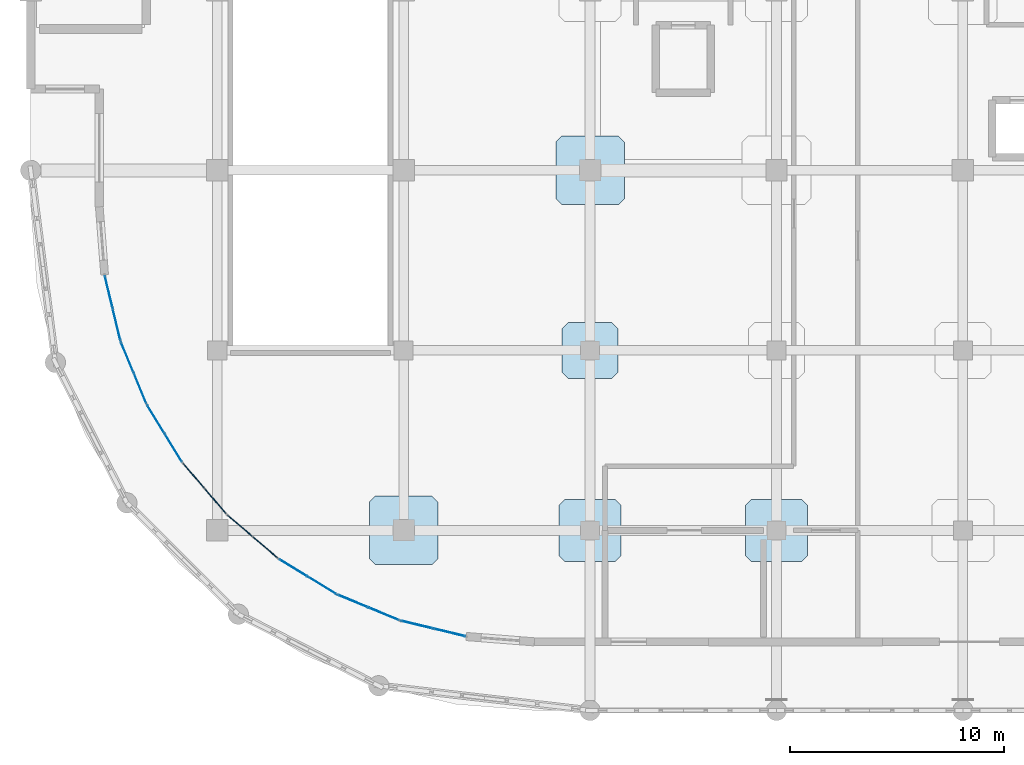
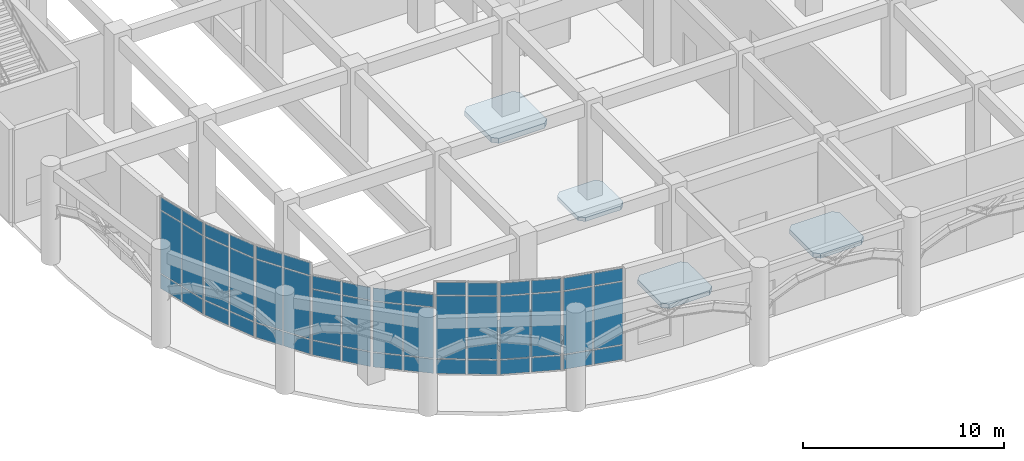
# One storey, part 50 of 82: 48 plates, 5 slabs, 8 elements without a shape of their own.
"""IFC4 building model written with IfcOpenShell, lengths in metres."""

import ifcopenshell
import ifcopenshell.guid

model = None  # the IFC model being written
_history = None  # IfcOwnerHistory: only IFC2X3 demands one
_inside = {}  # id of a spatial element -> (the spatial element, [elements in it])
_under = {}  # id of a project, library or spatial element -> (it, [spatial elements below it])
_declared = {}  # id of a project -> (the project, [libraries it declares])
_typed = {}  # id of a type object -> (the type object, [elements of that type])
_made_of = {}  # id of a material, layer set ... -> (it, [elements and type objects made of it])


def new_model(schema):
    """Start an empty IFC model of exactly this schema.

    Asked for "IFC4X3", IfcOpenShell would pick the latest addendum, in which some entities
    have other attributes; the version numbers below select the first issue.
    IFC2X3 requires an IfcOwnerHistory on every rooted entity: one is made here for all.
    """
    global model, _history
    if schema == "IFC4X3":
        model = ifcopenshell.file(schema_version=(4, 3, 0, 0))
    else:
        model = ifcopenshell.file(schema=schema)
    _inside.clear()
    _under.clear()
    _declared.clear()
    _typed.clear()
    _made_of.clear()
    _history = None
    if model.schema == "IFC2X3":
        org = make("IfcOrganization", Name="unknown")
        user = make(
            "IfcPersonAndOrganization",
            ThePerson=make("IfcPerson", FamilyName="unknown"),
            TheOrganization=org,
        )
        app = make(
            "IfcApplication",
            ApplicationDeveloper=org,
            Version="unknown",
            ApplicationFullName="unknown",
            ApplicationIdentifier="unknown",
        )
        _history = make(
            "IfcOwnerHistory",
            OwningUser=user,
            OwningApplication=app,
            ChangeAction="ADDED",
            CreationDate=0,
        )
    return model


def make(cls, **values):
    """One entity of the class cls with the attributes given. An attribute that is None is left unset."""
    return model.create_entity(
        cls, **{name: value for name, value in values.items() if value is not None}
    )


def rooted(cls, **values):
    """An entity with a GlobalId (a new one), such as an element, a storey or a relation."""
    return make(cls, GlobalId=ifcopenshell.guid.new(), OwnerHistory=_history, **values)


def si_unit(unit_type, name, prefix=None):
    """IfcSIUnit, for example si_unit("LENGTHUNIT", "METRE", prefix="MILLI")."""
    return make("IfcSIUnit", UnitType=unit_type, Prefix=prefix, Name=name)


def derived_unit(unit_type, elements):
    """IfcDerivedUnit: a product of units, each with its exponent."""
    return make(
        "IfcDerivedUnit",
        Elements=[
            make("IfcDerivedUnitElement", Unit=unit, Exponent=power)
            for unit, power in elements
        ],
        UnitType=unit_type,
    )


def assignment(units):
    """IfcUnitAssignment: the units of a project."""
    return None if units is None else make("IfcUnitAssignment", Units=units)


def point(xyz):
    """IfcCartesianPoint."""
    return None if xyz is None else make("IfcCartesianPoint", Coordinates=xyz)


def direction(xyz):
    """IfcDirection."""
    return None if xyz is None else make("IfcDirection", DirectionRatios=xyz)


def frame(location, z_axis=None, x_axis=None):
    """IfcAxis2Placement3D, a coordinate frame: its origin and axes. An axis left out is left unset."""
    return make(
        "IfcAxis2Placement3D",
        Location=point(location),
        Axis=direction(z_axis),
        RefDirection=direction(x_axis),
    )


def frame_2d(location, x_axis=None):
    """IfcAxis2Placement2D, a coordinate frame in the plane: its origin and x axis."""
    return make(
        "IfcAxis2Placement2D", Location=point(location), RefDirection=direction(x_axis)
    )


def origin():
    """The frame at (0, 0, 0) with its axes left unset."""
    return frame((0.0, 0.0, 0.0))


def origin_2d():
    """The frame at (0, 0) in the plane with its x axis left unset."""
    return frame_2d((0.0, 0.0))


def place(relative_to, where):
    """IfcLocalPlacement: puts the frame where relative to a parent placement (None: the world)."""
    return make(
        "IfcLocalPlacement", PlacementRelTo=relative_to, RelativePlacement=where
    )


def context(
    kind, dimensions, precision=None, world=None, true_north=None, identifier=None
):
    """IfcGeometricRepresentationContext, for example the 3D "Model" context."""
    return make(
        "IfcGeometricRepresentationContext",
        ContextIdentifier=identifier,
        ContextType=kind,
        CoordinateSpaceDimension=dimensions,
        Precision=precision,
        WorldCoordinateSystem=world,
        TrueNorth=true_north,
    )


def subcontext(parent, identifier, kind, view, scale=None):
    """IfcGeometricRepresentationSubContext, for example "Body" below "Model"."""
    return make(
        "IfcGeometricRepresentationSubContext",
        ContextIdentifier=identifier,
        ContextType=kind,
        ParentContext=parent,
        TargetScale=scale,
        TargetView=view,
    )


def project(units=None, contexts=None):
    """IfcProject with its units and contexts."""
    return rooted(
        "IfcProject",
        Name="project",
        RepresentationContexts=contexts,
        UnitsInContext=assignment(units),
    )


def spatial(cls, under=None, at=None, **own):
    """A site, building, storey or space (cls), placed at a placement, below another one or the project."""
    s = rooted(cls, ObjectPlacement=at, **own)
    if under is not None:
        _under.setdefault(under.id(), (under, []))[1].append(s)
    return s


def polyline(points):
    """IfcPolyline through the points."""
    return make("IfcPolyline", Points=[point(p) for p in points])


def profile(cls, at=None, kind="AREA", **sizes):
    """A parametric profile (cls). Its sizes go by their IFC names, for example OverallWidth=200.0."""
    return make(cls, ProfileType=kind, Position=at, **sizes)


def rectangle(**sizes):
    """IfcRectangleProfileDef."""
    return profile("IfcRectangleProfileDef", **sizes)


def outline(outer, holes=None, kind="AREA"):
    """IfcArbitraryClosedProfileDef: a profile drawn as a closed curve; with holes, ...WithVoids."""
    if holes is None:
        return make("IfcArbitraryClosedProfileDef", ProfileType=kind, OuterCurve=outer)
    return make(
        "IfcArbitraryProfileDefWithVoids",
        ProfileType=kind,
        OuterCurve=outer,
        InnerCurves=holes,
    )


def extrude(swept, where, along, depth):
    """IfcExtrudedAreaSolid: the profile swept, set in the frame where, extruded along a direction by depth."""
    return make(
        "IfcExtrudedAreaSolid",
        SweptArea=swept,
        Position=where,
        ExtrudedDirection=direction(along),
        Depth=depth,
    )


def shape(context_of_items, identifier, shape_type, items):
    """IfcShapeRepresentation: the items that make up one representation, for example the "Body"."""
    return make(
        "IfcShapeRepresentation",
        ContextOfItems=context_of_items,
        RepresentationIdentifier=identifier,
        RepresentationType=shape_type,
        Items=items,
    )


def material(Name=None, Category=None):
    """IfcMaterial."""
    return make("IfcMaterial", Name=Name, Category=Category)


def layer(
    of_material, thickness, ventilated=None, Name=None, Category=None, Priority=None
):
    """IfcMaterialLayer: one layer of a wall or slab, of a material (None: an air gap)."""
    return make(
        "IfcMaterialLayer",
        Material=of_material,
        LayerThickness=thickness,
        IsVentilated=ventilated,
        Name=Name,
        Category=Category,
        Priority=Priority,
    )


def layer_set(layers, Name=None):
    """IfcMaterialLayerSet."""
    return make("IfcMaterialLayerSet", MaterialLayers=layers, LayerSetName=Name)


def made_of(thing, what):
    """Note that an element or type object is made of a material, layer set ...; save() writes the relation."""
    if what is not None:
        _made_of.setdefault(what.id(), (what, []))[1].append(thing)
    return thing


def type_object(cls, material=None, **own):
    """A type object (cls), such as IfcWallType, which elements share."""
    return made_of(rooted(cls, **own), material)


def element(
    cls,
    number,
    at=None,
    inside=None,
    cuts=None,
    type_object=None,
    material=None,
    context=None,
    identifier="Body",
    shape_type=None,
    held_by="IfcProductDefinitionShape",
    body=None,
    shapes=None,
    **own,
):
    """One element of the class cls, such as IfcWall. Its Tag is "e" and its number.

    at: its placement. inside: the storey or other place that contains it. cuts: it is an
    opening in that element (IfcRelVoidsElement). A single representation is given by context,
    identifier, shape_type and body (its items); several are given by shapes. held_by: the class
    of the entity that holds the representations. save() writes the other relations.
    """
    e = rooted(cls, Tag="e%d" % number, ObjectPlacement=at, **own)
    if body is not None:
        shapes = [shape(context, identifier, shape_type, body)]
    if shapes is not None:
        e.Representation = make(held_by, Representations=shapes)
    if inside is not None:
        _inside.setdefault(inside.id(), (inside, []))[1].append(e)
    if cuts is not None:
        rooted(
            "IfcRelVoidsElement", RelatingBuildingElement=cuts, RelatedOpeningElement=e
        )
    if type_object is not None:
        _typed.setdefault(type_object.id(), (type_object, []))[1].append(e)
    return made_of(e, material)


def aggregate(whole, parts):
    """IfcRelAggregates: a whole, such as a stair, and the parts it consists of."""
    return rooted("IfcRelAggregates", RelatingObject=whole, RelatedObjects=parts)


def save(model, path):
    """Write the relations noted so far, then the file.

    IfcRelAggregates (storeys below a building ...), IfcRelContainedInSpatialStructure (elements
    in a storey), IfcRelDefinesByType, IfcRelAssociatesMaterial and IfcRelDeclares: one each for
    every whole, place, type object, material and project.
    """
    for whole, parts in _under.values():
        aggregate(whole, parts)
    for where, things in _inside.values():
        rooted(
            "IfcRelContainedInSpatialStructure",
            RelatedElements=things,
            RelatingStructure=where,
        )
    for kind, things in _typed.values():
        rooted("IfcRelDefinesByType", RelatedObjects=things, RelatingType=kind)
    for what, things in _made_of.values():
        rooted("IfcRelAssociatesMaterial", RelatedObjects=things, RelatingMaterial=what)
    for by, libraries in _declared.values():
        rooted("IfcRelDeclares", RelatingContext=by, RelatedDefinitions=libraries)
    model.write(path)


model = new_model("IFC4")

# Units and contexts
model_context = context("Model", 3, precision=1e-05, world=origin(), true_north=direction((0.0, 1.0)))
body_context = subcontext(model_context, "Body", "Model", "MODEL_VIEW")
ifc_project = project(units=[si_unit("LENGTHUNIT", "METRE"), si_unit("AREAUNIT", "SQUARE_METRE"), si_unit("VOLUMEUNIT", "CUBIC_METRE"), si_unit("PLANEANGLEUNIT", "RADIAN"), si_unit("MASSUNIT", "GRAM", prefix="KILO"), derived_unit("THERMALTRANSMITTANCEUNIT", [(si_unit("MASSUNIT", "GRAM", prefix="KILO"), 1), (si_unit("TIMEUNIT", "SECOND"), -3), (si_unit("THERMODYNAMICTEMPERATUREUNIT", "KELVIN"), -1)])], contexts=[model_context])

# Site, building, storey
site_placement = place(None, origin())
site = spatial("IfcSite", under=ifc_project, at=site_placement, CompositionType="ELEMENT")
building_placement = place(site_placement, origin())
building = spatial("IfcBuilding", under=site, at=building_placement, Name="Qinzheling Arcade Emporium", CompositionType="ELEMENT")
storey_placement = place(building_placement, origin())
storey = spatial("IfcBuildingStorey", under=building, at=storey_placement, Name="L01", CompositionType="ELEMENT", Elevation=0.0)

# Slabs
ifc_material_1 = material(Name="Concrete C40", Category="concrete")
ifc_layer_1 = layer(ifc_material_1, 0.235107421875, Name="Concrete C40", Category="concrete")
ifc_layer_set_1 = layer_set([ifc_layer_1], Name="Concrete C40")
slab_type_1 = type_object("IfcSlabType", Name="Column Head Drop Panel 2600x2600x235 C40", PredefinedType="USERDEFINED", material=ifc_layer_set_1)
slab_1_placement = place(storey_placement, frame((0.0, 0.0, -0.574951171875)))
element("IfcSlab", 1, at=slab_1_placement, inside=storey, type_object=slab_type_1, Name="Column Drop Panel DP-L01-4-C", ObjectType="DROP_PANEL", PredefinedType="USERDEFINED", context=body_context, shape_type="SweptSolid", body=[
    extrude(outline(polyline([(25.080078125, 15.5), (27.1201171875, 15.5), (27.39990234375, 15.780029296875), (27.39990234375, 17.820068359375), (27.1201171875, 18.10009765625), (25.080078125, 18.10009765625), (24.800048828125, 17.820068359375), (24.800048828125, 15.780029296875), (25.080078125, 15.5)])), origin(), (0.0, 0.0, 1.0), 0.23486328125),
])
ifc_layer_2 = layer(ifc_material_1, 0.27001953125, Name="Concrete C40", Category="concrete")
ifc_layer_set_2 = layer_set([ifc_layer_2], Name="Concrete C40")
slab_type_2 = type_object("IfcSlabType", Name="Column Head Drop Panel 2900x2900x270 C40", PredefinedType="USERDEFINED", material=ifc_layer_set_2)
slab_2_placement = place(storey_placement, frame((0.0, 0.0, -0.610107421875)))
element("IfcSlab", 2, at=slab_2_placement, inside=storey, type_object=slab_type_2, Name="Column Drop Panel DP-L01-4-B", ObjectType="DROP_PANEL", PredefinedType="USERDEFINED", context=body_context, shape_type="SweptSolid", body=[
    extrude(outline(polyline([(24.929931640625, 6.949951171875), (27.27001953125, 6.949951171875), (27.550048828125, 7.22998046875), (27.550048828125, 9.570068359375), (27.27001953125, 9.85009765625), (24.929931640625, 9.85009765625), (24.64990234375, 9.570068359375), (24.64990234375, 7.22998046875), (24.929931640625, 6.949951171875)])), origin(), (0.0, 0.0, 1.0), 0.27001953125),
])
slab_3_placement = place(storey_placement, frame((0.0, 0.0, -0.610107421875)))
element("IfcSlab", 3, at=slab_3_placement, inside=storey, type_object=slab_type_2, Name="Column Drop Panel DP-L01-5-B", ObjectType="DROP_PANEL", PredefinedType="USERDEFINED", context=body_context, shape_type="SweptSolid", body=[
    extrude(outline(polyline([(33.6298828125, 6.949951171875), (35.969970703125, 6.949951171875), (36.25, 7.22998046875), (36.25, 9.570068359375), (35.969970703125, 9.85009765625), (33.6298828125, 9.85009765625), (33.35009765625, 9.570068359375), (33.35009765625, 7.22998046875), (33.6298828125, 6.949951171875)])), origin(), (0.0, 0.0, 1.0), 0.27001953125),
])
ifc_layer_3 = layer(ifc_material_1, 0.300048828125, Name="Concrete C40", Category="concrete")
ifc_layer_set_3 = layer_set([ifc_layer_3], Name="Concrete C40")
slab_type_3 = type_object("IfcSlabType", Name="Column Head Drop Panel 3200x3200x300 C40", PredefinedType="USERDEFINED", material=ifc_layer_set_3)
slab_4_placement = place(storey_placement, frame((0.0, 0.0, -0.639892578125)))
element("IfcSlab", 4, at=slab_4_placement, inside=storey, type_object=slab_type_3, Name="Column Drop Panel DP-L01-3-B", ObjectType="DROP_PANEL", PredefinedType="USERDEFINED", context=body_context, shape_type="SweptSolid", body=[
    extrude(outline(polyline([(16.080078125, 6.800048828125), (18.719970703125, 6.800048828125), (19.0, 7.080078125), (19.0, 9.719970703125), (18.719970703125, 10.0), (16.080078125, 10.0), (15.800048828125, 9.719970703125), (15.800048828125, 7.080078125), (16.080078125, 6.800048828125)])), origin(), (0.0, 0.0, 1.0), 0.2998046875),
])
slab_5_placement = place(storey_placement, frame((0.0, 0.0, -0.639892578125)))
element("IfcSlab", 5, at=slab_5_placement, inside=storey, type_object=slab_type_3, Name="Column Drop Panel DP-L01-4-D", ObjectType="DROP_PANEL", PredefinedType="USERDEFINED", context=body_context, shape_type="SweptSolid", body=[
    extrude(outline(polyline([(24.780029296875, 23.60009765625), (27.419921875, 23.60009765625), (27.699951171875, 23.8798828125), (27.699951171875, 26.52001953125), (27.419921875, 26.800048828125), (24.780029296875, 26.800048828125), (24.5, 26.52001953125), (24.5, 23.8798828125), (24.780029296875, 23.60009765625)])), origin(), (0.0, 0.0, 1.0), 0.2998046875),
])

# Curtain wall, plates
ifc_material_2 = material(Name="Anodised aluminium and solar-control double glazing", Category="aluminium")
ifc_layer_4 = layer(ifc_material_2, 0.159912109375, Name="Anodised aluminium and solar-control double glazing", Category="aluminium")
ifc_layer_set_4 = layer_set([ifc_layer_4], Name="Anodised aluminium and solar-control double glazing")
curtain_wall_type = type_object("IfcCurtainWallType", Name="Curved Ribbon Sales Curtain Wall", PredefinedType="NOTDEFINED", material=ifc_layer_set_4)
curtain_wall_1_placement = place(storey_placement, origin())
curtain_wall_1 = element("IfcCurtainWall", 6, at=curtain_wall_1_placement, inside=storey, type_object=curtain_wall_type, Name="Curtain Wall CW-L01-016", PredefinedType="NOTDEFINED")
ifc_material_3 = material(Name="Laminated solar-control double glazing", Category="glass")
ifc_layer_5 = layer(ifc_material_3, 0.02099609375, Name="Laminated solar-control double glazing", Category="glass")
ifc_layer_set_5 = layer_set([ifc_layer_5], Name="Laminated solar-control double glazing")
plate_type_1 = type_object("IfcPlateType", Name="Low-E Double Glazed Curtain Panel 21mm", PredefinedType="CURTAIN_PANEL", material=ifc_layer_set_5)
plate_1_placement = place(storey_placement, frame((6.653076171875, 12.259765625, 0.06005859375), z_axis=(0.0, 0.0, 1.0), x_axis=(-0.522414811302, 0.852691482854, 0.0)))
plate_1 = element("IfcPlate", 7, at=plate_1_placement, type_object=plate_type_1, Name="CW02 panel 1.1", PredefinedType="CURTAIN_PANEL", context=body_context, shape_type="SweptSolid", body=[
    extrude(rectangle(XDim=1.502685546875, YDim=0.02099609375, at=origin_2d()), origin(), (0.0, 0.0, 1.0), 0.860107421875),
])
plate_2_placement = place(storey_placement, frame((6.653076171875, 12.259765625, 0.97998046875), z_axis=(0.0, 0.0, 1.0), x_axis=(-0.522414811302, 0.852691482854, 0.0)))
plate_2 = element("IfcPlate", 8, at=plate_2_placement, type_object=plate_type_1, Name="CW02 panel 1.2", PredefinedType="CURTAIN_PANEL", context=body_context, shape_type="SweptSolid", body=[
    extrude(rectangle(XDim=1.502685546875, YDim=0.02099609375, at=origin_2d()), origin(), (0.0, 0.0, 1.0), 3.800048828125),
])
plate_3_placement = place(storey_placement, frame((6.653076171875, 12.259765625, 4.83984375), z_axis=(0.0, 0.0, 1.0), x_axis=(-0.522414811302, 0.852691482854, 0.0)))
plate_3 = element("IfcPlate", 9, at=plate_3_placement, type_object=plate_type_1, Name="CW02 panel 1.3", PredefinedType="CURTAIN_PANEL", context=body_context, shape_type="SweptSolid", body=[
    extrude(rectangle(XDim=1.502685546875, YDim=0.02099609375, at=origin_2d()), origin(), (0.0, 0.0, 1.0), 0.760009765625),
])
plate_4_placement = place(storey_placement, frame((5.8369140625, 13.59228515625, 0.06005859375), z_axis=(0.0, 0.0, 1.0), x_axis=(-0.522414811302, 0.852691482854, 0.0)))
plate_4 = element("IfcPlate", 10, at=plate_4_placement, type_object=plate_type_1, Name="CW02 panel 2.1", PredefinedType="CURTAIN_PANEL", context=body_context, shape_type="SweptSolid", body=[
    extrude(rectangle(XDim=1.502685546875, YDim=0.02099609375, at=origin_2d()), origin(), (0.0, 0.0, 1.0), 0.860107421875),
])
plate_5_placement = place(storey_placement, frame((5.8369140625, 13.59228515625, 0.97998046875), z_axis=(0.0, 0.0, 1.0), x_axis=(-0.522414811302, 0.852691482854, 0.0)))
plate_5 = element("IfcPlate", 11, at=plate_5_placement, type_object=plate_type_1, Name="CW02 panel 2.2", PredefinedType="CURTAIN_PANEL", context=body_context, shape_type="SweptSolid", body=[
    extrude(rectangle(XDim=1.502685546875, YDim=0.02099609375, at=origin_2d()), origin(), (0.0, 0.0, 1.0), 3.800048828125),
])
plate_6_placement = place(storey_placement, frame((5.8369140625, 13.59228515625, 4.83984375), z_axis=(0.0, 0.0, 1.0), x_axis=(-0.522414811302, 0.852691482854, 0.0)))
plate_6 = element("IfcPlate", 12, at=plate_6_placement, type_object=plate_type_1, Name="CW02 panel 2.3", PredefinedType="CURTAIN_PANEL", context=body_context, shape_type="SweptSolid", body=[
    extrude(rectangle(XDim=1.502685546875, YDim=0.02099609375, at=origin_2d()), origin(), (0.0, 0.0, 1.0), 0.760009765625),
])
aggregate(curtain_wall_1, [plate_1, plate_2, plate_3, plate_4, plate_5, plate_6])

curtain_wall_2_placement = place(storey_placement, origin())
curtain_wall_2 = element("IfcCurtainWall", 13, at=curtain_wall_2_placement, inside=storey, type_object=curtain_wall_type, Name="Curtain Wall CW-L01-017", PredefinedType="NOTDEFINED")
ifc_layer_6 = layer(ifc_material_3, 0.02197265625, Name="Laminated solar-control double glazing", Category="glass")
ifc_layer_set_6 = layer_set([ifc_layer_6], Name="Laminated solar-control double glazing")
plate_type_2 = type_object("IfcPlateType", Name="Low-E Double Glazed Curtain Panel 22mm", PredefinedType="CURTAIN_PANEL", material=ifc_layer_set_6)
plate_7_placement = place(storey_placement, frame((5.1025390625, 15.03369140625, 0.06005859375), z_axis=(0.0, 0.0, 1.0), x_axis=(-0.382675256043, 0.923882919212, 0.0)))
plate_7 = element("IfcPlate", 14, at=plate_7_placement, type_object=plate_type_2, Name="CW02 panel 1.1", PredefinedType="CURTAIN_PANEL", context=body_context, shape_type="SweptSolid", body=[
    extrude(rectangle(XDim=1.502685546875, YDim=0.02197265625, at=origin_2d()), origin(), (0.0, 0.0, 1.0), 0.860107421875),
])
plate_8_placement = place(storey_placement, frame((5.1025390625, 15.03369140625, 0.97998046875), z_axis=(0.0, 0.0, 1.0), x_axis=(-0.382675256043, 0.923882919212, 0.0)))
plate_8 = element("IfcPlate", 15, at=plate_8_placement, type_object=plate_type_2, Name="CW02 panel 1.2", PredefinedType="CURTAIN_PANEL", context=body_context, shape_type="SweptSolid", body=[
    extrude(rectangle(XDim=1.502685546875, YDim=0.02197265625, at=origin_2d()), origin(), (0.0, 0.0, 1.0), 3.800048828125),
])
plate_9_placement = place(storey_placement, frame((5.1025390625, 15.03369140625, 4.83984375), z_axis=(0.0, 0.0, 1.0), x_axis=(-0.382675256043, 0.923882919212, 0.0)))
plate_9 = element("IfcPlate", 16, at=plate_9_placement, type_object=plate_type_2, Name="CW02 panel 1.3", PredefinedType="CURTAIN_PANEL", context=body_context, shape_type="SweptSolid", body=[
    extrude(rectangle(XDim=1.502685546875, YDim=0.02197265625, at=origin_2d()), origin(), (0.0, 0.0, 1.0), 0.760009765625),
])
plate_10_placement = place(storey_placement, frame((4.50439453125, 16.477294921875, 0.06005859375), z_axis=(0.0, 0.0, 1.0), x_axis=(-0.382675256043, 0.923882919212, 0.0)))
plate_10 = element("IfcPlate", 17, at=plate_10_placement, type_object=plate_type_2, Name="CW02 panel 2.1", PredefinedType="CURTAIN_PANEL", context=body_context, shape_type="SweptSolid", body=[
    extrude(rectangle(XDim=1.502685546875, YDim=0.02197265625, at=origin_2d()), origin(), (0.0, 0.0, 1.0), 0.860107421875),
])
plate_11_placement = place(storey_placement, frame((4.50439453125, 16.477294921875, 0.97998046875), z_axis=(0.0, 0.0, 1.0), x_axis=(-0.382675256043, 0.923882919212, 0.0)))
plate_11 = element("IfcPlate", 18, at=plate_11_placement, type_object=plate_type_2, Name="CW02 panel 2.2", PredefinedType="CURTAIN_PANEL", context=body_context, shape_type="SweptSolid", body=[
    extrude(rectangle(XDim=1.502685546875, YDim=0.02197265625, at=origin_2d()), origin(), (0.0, 0.0, 1.0), 3.800048828125),
])
plate_12_placement = place(storey_placement, frame((4.50439453125, 16.477294921875, 4.83984375), z_axis=(0.0, 0.0, 1.0), x_axis=(-0.382675256043, 0.923882919212, 0.0)))
plate_12 = element("IfcPlate", 19, at=plate_12_placement, type_object=plate_type_2, Name="CW02 panel 2.3", PredefinedType="CURTAIN_PANEL", context=body_context, shape_type="SweptSolid", body=[
    extrude(rectangle(XDim=1.502685546875, YDim=0.02197265625, at=origin_2d()), origin(), (0.0, 0.0, 1.0), 0.760009765625),
])
aggregate(curtain_wall_2, [plate_7, plate_8, plate_9, plate_10, plate_11, plate_12])

curtain_wall_3_placement = place(storey_placement, origin())
curtain_wall_3 = element("IfcCurtainWall", 20, at=curtain_wall_3_placement, inside=storey, type_object=curtain_wall_type, Name="Curtain Wall CW-L01-018", PredefinedType="NOTDEFINED")
ifc_layer_7 = layer(ifc_material_3, 0.02392578125, Name="Laminated solar-control double glazing", Category="glass")
ifc_layer_set_7 = layer_set([ifc_layer_7], Name="Laminated solar-control double glazing")
plate_type_3 = type_object("IfcPlateType", Name="Low-E Double Glazed Curtain Panel 24mm", PredefinedType="CURTAIN_PANEL", material=ifc_layer_set_7)
plate_13_placement = place(storey_placement, frame((4.00439453125, 18.015869140625, 0.06005859375), z_axis=(0.0, 0.0, 1.0), x_axis=(-0.233586687032, 0.972335980843, 0.0)))
plate_13 = element("IfcPlate", 21, at=plate_13_placement, type_object=plate_type_3, Name="CW02 panel 1.1", PredefinedType="CURTAIN_PANEL", context=body_context, shape_type="SweptSolid", body=[
    extrude(rectangle(XDim=1.50244140625, YDim=0.02392578125, at=origin_2d()), origin(), (0.0, 0.0, 1.0), 0.860107421875),
])
plate_14_placement = place(storey_placement, frame((4.00439453125, 18.015869140625, 0.97998046875), z_axis=(0.0, 0.0, 1.0), x_axis=(-0.233586687032, 0.972335980843, 0.0)))
plate_14 = element("IfcPlate", 22, at=plate_14_placement, type_object=plate_type_3, Name="CW02 panel 1.2", PredefinedType="CURTAIN_PANEL", context=body_context, shape_type="SweptSolid", body=[
    extrude(rectangle(XDim=1.50244140625, YDim=0.02392578125, at=origin_2d()), origin(), (0.0, 0.0, 1.0), 3.800048828125),
])
plate_15_placement = place(storey_placement, frame((4.00439453125, 18.015869140625, 4.83984375), z_axis=(0.0, 0.0, 1.0), x_axis=(-0.233586687032, 0.972335980843, 0.0)))
plate_15 = element("IfcPlate", 23, at=plate_15_placement, type_object=plate_type_3, Name="CW02 panel 1.3", PredefinedType="CURTAIN_PANEL", context=body_context, shape_type="SweptSolid", body=[
    extrude(rectangle(XDim=1.50244140625, YDim=0.02392578125, at=origin_2d()), origin(), (0.0, 0.0, 1.0), 0.760009765625),
])
plate_16_placement = place(storey_placement, frame((3.639404296875, 19.53515625, 0.06005859375), z_axis=(0.0, 0.0, 1.0), x_axis=(-0.233586687032, 0.972335980843, 0.0)))
plate_16 = element("IfcPlate", 24, at=plate_16_placement, type_object=plate_type_3, Name="CW02 panel 2.1", PredefinedType="CURTAIN_PANEL", context=body_context, shape_type="SweptSolid", body=[
    extrude(rectangle(XDim=1.50244140625, YDim=0.02392578125, at=origin_2d()), origin(), (0.0, 0.0, 1.0), 0.860107421875),
])
plate_17_placement = place(storey_placement, frame((3.639404296875, 19.53515625, 0.97998046875), z_axis=(0.0, 0.0, 1.0), x_axis=(-0.233586687032, 0.972335980843, 0.0)))
plate_17 = element("IfcPlate", 25, at=plate_17_placement, type_object=plate_type_3, Name="CW02 panel 2.2", PredefinedType="CURTAIN_PANEL", context=body_context, shape_type="SweptSolid", body=[
    extrude(rectangle(XDim=1.50244140625, YDim=0.02392578125, at=origin_2d()), origin(), (0.0, 0.0, 1.0), 3.800048828125),
])
plate_18_placement = place(storey_placement, frame((3.639404296875, 19.53515625, 4.83984375), z_axis=(0.0, 0.0, 1.0), x_axis=(-0.233586687032, 0.972335980843, 0.0)))
plate_18 = element("IfcPlate", 26, at=plate_18_placement, type_object=plate_type_3, Name="CW02 panel 2.3", PredefinedType="CURTAIN_PANEL", context=body_context, shape_type="SweptSolid", body=[
    extrude(rectangle(XDim=1.50244140625, YDim=0.02392578125, at=origin_2d()), origin(), (0.0, 0.0, 1.0), 0.760009765625),
])
aggregate(curtain_wall_3, [plate_13, plate_14, plate_15, plate_16, plate_17, plate_18])

curtain_wall_4_placement = place(storey_placement, origin())
curtain_wall_4 = element("IfcCurtainWall", 27, at=curtain_wall_4_placement, inside=storey, type_object=curtain_wall_type, Name="Curtain Wall CW-L01-011", PredefinedType="NOTDEFINED")
ifc_layer_8 = layer(ifc_material_3, 0.033935546875, Name="Laminated solar-control double glazing", Category="glass")
ifc_layer_set_8 = layer_set([ifc_layer_8], Name="Laminated solar-control double glazing")
plate_type_4 = type_object("IfcPlateType", Name="Low-E Double Glazed Curtain Panel 34mm", PredefinedType="CURTAIN_PANEL", material=ifc_layer_set_8)
plate_19_placement = place(storey_placement, frame((19.53515625, 3.639404296875, 0.06005859375), z_axis=(0.0, 0.0, 1.0), x_axis=(-0.972335980843, 0.233586687032, 0.0)))
plate_19 = element("IfcPlate", 28, at=plate_19_placement, type_object=plate_type_4, Name="CW02 panel 1.1", PredefinedType="CURTAIN_PANEL", context=body_context, shape_type="SweptSolid", body=[
    extrude(rectangle(XDim=1.50244140625, YDim=0.033935546875, at=origin_2d()), origin(), (0.0, 0.0, 1.0), 0.860107421875),
])
plate_20_placement = place(storey_placement, frame((19.53515625, 3.639404296875, 0.97998046875), z_axis=(0.0, 0.0, 1.0), x_axis=(-0.972335980843, 0.233586687032, 0.0)))
plate_20 = element("IfcPlate", 29, at=plate_20_placement, type_object=plate_type_4, Name="CW02 panel 1.2", PredefinedType="CURTAIN_PANEL", context=body_context, shape_type="SweptSolid", body=[
    extrude(rectangle(XDim=1.50244140625, YDim=0.033935546875, at=origin_2d()), origin(), (0.0, 0.0, 1.0), 3.800048828125),
])
plate_21_placement = place(storey_placement, frame((19.53515625, 3.639404296875, 4.83984375), z_axis=(0.0, 0.0, 1.0), x_axis=(-0.972335980843, 0.233586687032, 0.0)))
plate_21 = element("IfcPlate", 30, at=plate_21_placement, type_object=plate_type_4, Name="CW02 panel 1.3", PredefinedType="CURTAIN_PANEL", context=body_context, shape_type="SweptSolid", body=[
    extrude(rectangle(XDim=1.50244140625, YDim=0.033935546875, at=origin_2d()), origin(), (0.0, 0.0, 1.0), 0.760009765625),
])
plate_22_placement = place(storey_placement, frame((18.015869140625, 4.00439453125, 0.06005859375), z_axis=(0.0, 0.0, 1.0), x_axis=(-0.972335980843, 0.233586687032, 0.0)))
plate_22 = element("IfcPlate", 31, at=plate_22_placement, type_object=plate_type_4, Name="CW02 panel 2.1", PredefinedType="CURTAIN_PANEL", context=body_context, shape_type="SweptSolid", body=[
    extrude(rectangle(XDim=1.50244140625, YDim=0.033935546875, at=origin_2d()), origin(), (0.0, 0.0, 1.0), 0.860107421875),
])
plate_23_placement = place(storey_placement, frame((18.015869140625, 4.00439453125, 0.97998046875), z_axis=(0.0, 0.0, 1.0), x_axis=(-0.972335980843, 0.233586687032, 0.0)))
plate_23 = element("IfcPlate", 32, at=plate_23_placement, type_object=plate_type_4, Name="CW02 panel 2.2", PredefinedType="CURTAIN_PANEL", context=body_context, shape_type="SweptSolid", body=[
    extrude(rectangle(XDim=1.50244140625, YDim=0.033935546875, at=origin_2d()), origin(), (0.0, 0.0, 1.0), 3.800048828125),
])
plate_24_placement = place(storey_placement, frame((18.015869140625, 4.00439453125, 4.83984375), z_axis=(0.0, 0.0, 1.0), x_axis=(-0.972335980843, 0.233586687032, 0.0)))
plate_24 = element("IfcPlate", 33, at=plate_24_placement, type_object=plate_type_4, Name="CW02 panel 2.3", PredefinedType="CURTAIN_PANEL", context=body_context, shape_type="SweptSolid", body=[
    extrude(rectangle(XDim=1.50244140625, YDim=0.033935546875, at=origin_2d()), origin(), (0.0, 0.0, 1.0), 0.760009765625),
])
aggregate(curtain_wall_4, [plate_19, plate_20, plate_21, plate_22, plate_23, plate_24])

curtain_wall_5_placement = place(storey_placement, origin())
curtain_wall_5 = element("IfcCurtainWall", 34, at=curtain_wall_5_placement, inside=storey, type_object=curtain_wall_type, Name="Curtain Wall CW-L01-012", PredefinedType="NOTDEFINED")
ifc_layer_9 = layer(ifc_material_3, 0.035888671875, Name="Laminated solar-control double glazing", Category="glass")
ifc_layer_set_9 = layer_set([ifc_layer_9], Name="Laminated solar-control double glazing")
plate_type_5 = type_object("IfcPlateType", Name="Low-E Double Glazed Curtain Panel 36mm", PredefinedType="CURTAIN_PANEL", material=ifc_layer_set_9)
plate_25_placement = place(storey_placement, frame((16.477294921875, 4.50439453125, 0.06005859375), z_axis=(0.0, 0.0, 1.0), x_axis=(-0.923882919212, 0.382675256043, 0.0)))
plate_25 = element("IfcPlate", 35, at=plate_25_placement, type_object=plate_type_5, Name="CW02 panel 1.1", PredefinedType="CURTAIN_PANEL", context=body_context, shape_type="SweptSolid", body=[
    extrude(rectangle(XDim=1.502685546875, YDim=0.035888671875, at=origin_2d()), origin(), (0.0, 0.0, 1.0), 0.860107421875),
])
plate_26_placement = place(storey_placement, frame((16.477294921875, 4.50439453125, 0.97998046875), z_axis=(0.0, 0.0, 1.0), x_axis=(-0.923882919212, 0.382675256043, 0.0)))
plate_26 = element("IfcPlate", 36, at=plate_26_placement, type_object=plate_type_5, Name="CW02 panel 1.2", PredefinedType="CURTAIN_PANEL", context=body_context, shape_type="SweptSolid", body=[
    extrude(rectangle(XDim=1.502685546875, YDim=0.035888671875, at=origin_2d()), origin(), (0.0, 0.0, 1.0), 3.800048828125),
])
plate_27_placement = place(storey_placement, frame((16.477294921875, 4.50439453125, 4.83984375), z_axis=(0.0, 0.0, 1.0), x_axis=(-0.923882919212, 0.382675256043, 0.0)))
plate_27 = element("IfcPlate", 37, at=plate_27_placement, type_object=plate_type_5, Name="CW02 panel 1.3", PredefinedType="CURTAIN_PANEL", context=body_context, shape_type="SweptSolid", body=[
    extrude(rectangle(XDim=1.502685546875, YDim=0.035888671875, at=origin_2d()), origin(), (0.0, 0.0, 1.0), 0.760009765625),
])
plate_28_placement = place(storey_placement, frame((15.03369140625, 5.1025390625, 0.06005859375), z_axis=(0.0, 0.0, 1.0), x_axis=(-0.923882919212, 0.382675256043, 0.0)))
plate_28 = element("IfcPlate", 38, at=plate_28_placement, type_object=plate_type_5, Name="CW02 panel 2.1", PredefinedType="CURTAIN_PANEL", context=body_context, shape_type="SweptSolid", body=[
    extrude(rectangle(XDim=1.502685546875, YDim=0.035888671875, at=origin_2d()), origin(), (0.0, 0.0, 1.0), 0.860107421875),
])
plate_29_placement = place(storey_placement, frame((15.03369140625, 5.1025390625, 0.97998046875), z_axis=(0.0, 0.0, 1.0), x_axis=(-0.923882919212, 0.382675256043, 0.0)))
plate_29 = element("IfcPlate", 39, at=plate_29_placement, type_object=plate_type_5, Name="CW02 panel 2.2", PredefinedType="CURTAIN_PANEL", context=body_context, shape_type="SweptSolid", body=[
    extrude(rectangle(XDim=1.502685546875, YDim=0.035888671875, at=origin_2d()), origin(), (0.0, 0.0, 1.0), 3.800048828125),
])
plate_30_placement = place(storey_placement, frame((15.03369140625, 5.1025390625, 4.83984375), z_axis=(0.0, 0.0, 1.0), x_axis=(-0.923882919212, 0.382675256043, 0.0)))
plate_30 = element("IfcPlate", 40, at=plate_30_placement, type_object=plate_type_5, Name="CW02 panel 2.3", PredefinedType="CURTAIN_PANEL", context=body_context, shape_type="SweptSolid", body=[
    extrude(rectangle(XDim=1.502685546875, YDim=0.035888671875, at=origin_2d()), origin(), (0.0, 0.0, 1.0), 0.760009765625),
])
aggregate(curtain_wall_5, [plate_25, plate_26, plate_27, plate_28, plate_29, plate_30])

curtain_wall_6_placement = place(storey_placement, origin())
curtain_wall_6 = element("IfcCurtainWall", 41, at=curtain_wall_6_placement, inside=storey, type_object=curtain_wall_type, Name="Curtain Wall CW-L01-013", PredefinedType="NOTDEFINED")
ifc_layer_10 = layer(ifc_material_3, 0.0380859375, Name="Laminated solar-control double glazing", Category="glass")
ifc_layer_set_10 = layer_set([ifc_layer_10], Name="Laminated solar-control double glazing")
plate_type_6 = type_object("IfcPlateType", Name="Low-E Double Glazed Curtain Panel 38mm", PredefinedType="CURTAIN_PANEL", material=ifc_layer_set_10)
plate_31_placement = place(storey_placement, frame((13.59228515625, 5.8369140625, 0.06005859375), z_axis=(0.0, 0.0, 1.0), x_axis=(-0.852691482854, 0.522414811302, 0.0)))
plate_31 = element("IfcPlate", 42, at=plate_31_placement, type_object=plate_type_6, Name="CW02 panel 1.1", PredefinedType="CURTAIN_PANEL", context=body_context, shape_type="SweptSolid", body=[
    extrude(rectangle(XDim=1.502685546875, YDim=0.0380859375, at=origin_2d()), origin(), (0.0, 0.0, 1.0), 0.860107421875),
])
plate_32_placement = place(storey_placement, frame((13.59228515625, 5.8369140625, 0.97998046875), z_axis=(0.0, 0.0, 1.0), x_axis=(-0.852691482854, 0.522414811302, 0.0)))
plate_32 = element("IfcPlate", 43, at=plate_32_placement, type_object=plate_type_6, Name="CW02 panel 1.2", PredefinedType="CURTAIN_PANEL", context=body_context, shape_type="SweptSolid", body=[
    extrude(rectangle(XDim=1.502685546875, YDim=0.0380859375, at=origin_2d()), origin(), (0.0, 0.0, 1.0), 3.800048828125),
])
plate_33_placement = place(storey_placement, frame((13.59228515625, 5.8369140625, 4.83984375), z_axis=(0.0, 0.0, 1.0), x_axis=(-0.852691482854, 0.522414811302, 0.0)))
plate_33 = element("IfcPlate", 44, at=plate_33_placement, type_object=plate_type_6, Name="CW02 panel 1.3", PredefinedType="CURTAIN_PANEL", context=body_context, shape_type="SweptSolid", body=[
    extrude(rectangle(XDim=1.502685546875, YDim=0.0380859375, at=origin_2d()), origin(), (0.0, 0.0, 1.0), 0.760009765625),
])
plate_34_placement = place(storey_placement, frame((12.259765625, 6.653076171875, 0.06005859375), z_axis=(0.0, 0.0, 1.0), x_axis=(-0.852691482854, 0.522414811302, 0.0)))
plate_34 = element("IfcPlate", 45, at=plate_34_placement, type_object=plate_type_6, Name="CW02 panel 2.1", PredefinedType="CURTAIN_PANEL", context=body_context, shape_type="SweptSolid", body=[
    extrude(rectangle(XDim=1.502685546875, YDim=0.0380859375, at=origin_2d()), origin(), (0.0, 0.0, 1.0), 0.860107421875),
])
plate_35_placement = place(storey_placement, frame((12.259765625, 6.653076171875, 0.97998046875), z_axis=(0.0, 0.0, 1.0), x_axis=(-0.852691482854, 0.522414811302, 0.0)))
plate_35 = element("IfcPlate", 46, at=plate_35_placement, type_object=plate_type_6, Name="CW02 panel 2.2", PredefinedType="CURTAIN_PANEL", context=body_context, shape_type="SweptSolid", body=[
    extrude(rectangle(XDim=1.502685546875, YDim=0.0380859375, at=origin_2d()), origin(), (0.0, 0.0, 1.0), 3.800048828125),
])
plate_36_placement = place(storey_placement, frame((12.259765625, 6.653076171875, 4.83984375), z_axis=(0.0, 0.0, 1.0), x_axis=(-0.852691482854, 0.522414811302, 0.0)))
plate_36 = element("IfcPlate", 47, at=plate_36_placement, type_object=plate_type_6, Name="CW02 panel 2.3", PredefinedType="CURTAIN_PANEL", context=body_context, shape_type="SweptSolid", body=[
    extrude(rectangle(XDim=1.502685546875, YDim=0.0380859375, at=origin_2d()), origin(), (0.0, 0.0, 1.0), 0.760009765625),
])
aggregate(curtain_wall_6, [plate_31, plate_32, plate_33, plate_34, plate_35, plate_36])

curtain_wall_7_placement = place(storey_placement, origin())
curtain_wall_7 = element("IfcCurtainWall", 48, at=curtain_wall_7_placement, inside=storey, type_object=curtain_wall_type, Name="Curtain Wall CW-L01-014", PredefinedType="NOTDEFINED")
ifc_layer_11 = layer(ifc_material_3, 0.0400390625, Name="Laminated solar-control double glazing", Category="glass")
ifc_layer_set_11 = layer_set([ifc_layer_11], Name="Laminated solar-control double glazing")
plate_type_7 = type_object("IfcPlateType", Name="Low-E Double Glazed Curtain Panel 40mm", PredefinedType="CURTAIN_PANEL", material=ifc_layer_set_11)
plate_37_placement = place(storey_placement, frame((10.951171875, 7.60400390625, 0.06005859375), z_axis=(0.0, 0.0, 1.0), x_axis=(-0.76034137818, 0.64952366287, 0.0)))
plate_37 = element("IfcPlate", 49, at=plate_37_placement, type_object=plate_type_7, Name="CW02 panel 1.1", PredefinedType="CURTAIN_PANEL", context=body_context, shape_type="SweptSolid", body=[
    extrude(rectangle(XDim=1.502685546875, YDim=0.0400390625, at=origin_2d()), origin(), (0.0, 0.0, 1.0), 0.860107421875),
])
plate_38_placement = place(storey_placement, frame((10.951171875, 7.60400390625, 0.97998046875), z_axis=(0.0, 0.0, 1.0), x_axis=(-0.76034137818, 0.64952366287, 0.0)))
plate_38 = element("IfcPlate", 50, at=plate_38_placement, type_object=plate_type_7, Name="CW02 panel 1.2", PredefinedType="CURTAIN_PANEL", context=body_context, shape_type="SweptSolid", body=[
    extrude(rectangle(XDim=1.502685546875, YDim=0.0400390625, at=origin_2d()), origin(), (0.0, 0.0, 1.0), 3.044921875),
])
plate_39_placement = place(storey_placement, frame((10.951171875, 7.60400390625, 4.0849609375), z_axis=(0.0, 0.0, 1.0), x_axis=(-0.76034137818, 0.64952366287, 0.0)))
plate_39 = element("IfcPlate", 51, at=plate_39_placement, type_object=plate_type_7, Name="CW02 panel 1.3", PredefinedType="CURTAIN_PANEL", context=body_context, shape_type="SweptSolid", body=[
    extrude(rectangle(XDim=1.502685546875, YDim=0.0400390625, at=origin_2d()), origin(), (0.0, 0.0, 1.0), 0.760009765625),
])
plate_40_placement = place(storey_placement, frame((9.762939453125, 8.618896484375, 0.06005859375), z_axis=(0.0, 0.0, 1.0), x_axis=(-0.76034137818, 0.64952366287, 0.0)))
plate_40 = element("IfcPlate", 52, at=plate_40_placement, type_object=plate_type_7, Name="CW02 panel 2.1", PredefinedType="CURTAIN_PANEL", context=body_context, shape_type="SweptSolid", body=[
    extrude(rectangle(XDim=1.502685546875, YDim=0.0400390625, at=origin_2d()), origin(), (0.0, 0.0, 1.0), 0.860107421875),
])
plate_41_placement = place(storey_placement, frame((9.762939453125, 8.618896484375, 0.97998046875), z_axis=(0.0, 0.0, 1.0), x_axis=(-0.76034137818, 0.64952366287, 0.0)))
plate_41 = element("IfcPlate", 53, at=plate_41_placement, type_object=plate_type_7, Name="CW02 panel 2.2", PredefinedType="CURTAIN_PANEL", context=body_context, shape_type="SweptSolid", body=[
    extrude(rectangle(XDim=1.502685546875, YDim=0.0400390625, at=origin_2d()), origin(), (0.0, 0.0, 1.0), 3.044921875),
])
plate_42_placement = place(storey_placement, frame((9.762939453125, 8.618896484375, 4.0849609375), z_axis=(0.0, 0.0, 1.0), x_axis=(-0.76034137818, 0.64952366287, 0.0)))
plate_42 = element("IfcPlate", 54, at=plate_42_placement, type_object=plate_type_7, Name="CW02 panel 2.3", PredefinedType="CURTAIN_PANEL", context=body_context, shape_type="SweptSolid", body=[
    extrude(rectangle(XDim=1.502685546875, YDim=0.0400390625, at=origin_2d()), origin(), (0.0, 0.0, 1.0), 0.760009765625),
])
aggregate(curtain_wall_7, [plate_37, plate_38, plate_39, plate_40, plate_41, plate_42])

curtain_wall_8_placement = place(storey_placement, origin())
curtain_wall_8 = element("IfcCurtainWall", 55, at=curtain_wall_8_placement, inside=storey, type_object=curtain_wall_type, Name="Curtain Wall CW-L01-015", PredefinedType="NOTDEFINED")
ifc_layer_12 = layer(ifc_material_3, 0.0419921875, Name="Laminated solar-control double glazing", Category="glass")
ifc_layer_set_12 = layer_set([ifc_layer_12], Name="Laminated solar-control double glazing")
plate_type_8 = type_object("IfcPlateType", Name="Low-E Double Glazed Curtain Panel 42mm", PredefinedType="CURTAIN_PANEL", material=ifc_layer_set_12)
plate_43_placement = place(storey_placement, frame((8.618896484375, 9.762939453125, 0.06005859375), z_axis=(0.0, 0.0, 1.0), x_axis=(-0.64952366287, 0.76034137818, 0.0)))
plate_43 = element("IfcPlate", 56, at=plate_43_placement, type_object=plate_type_8, Name="CW02 panel 1.1", PredefinedType="CURTAIN_PANEL", context=body_context, shape_type="SweptSolid", body=[
    extrude(rectangle(XDim=1.502685546875, YDim=0.0419921875, at=origin_2d()), origin(), (0.0, 0.0, 1.0), 0.860107421875),
])
plate_44_placement = place(storey_placement, frame((8.618896484375, 9.762939453125, 0.97998046875), z_axis=(0.0, 0.0, 1.0), x_axis=(-0.64952366287, 0.76034137818, 0.0)))
plate_44 = element("IfcPlate", 57, at=plate_44_placement, type_object=plate_type_8, Name="CW02 panel 1.2", PredefinedType="CURTAIN_PANEL", context=body_context, shape_type="SweptSolid", body=[
    extrude(rectangle(XDim=1.502685546875, YDim=0.0419921875, at=origin_2d()), origin(), (0.0, 0.0, 1.0), 3.044921875),
])
plate_45_placement = place(storey_placement, frame((8.618896484375, 9.762939453125, 4.0849609375), z_axis=(0.0, 0.0, 1.0), x_axis=(-0.64952366287, 0.76034137818, 0.0)))
plate_45 = element("IfcPlate", 58, at=plate_45_placement, type_object=plate_type_8, Name="CW02 panel 1.3", PredefinedType="CURTAIN_PANEL", context=body_context, shape_type="SweptSolid", body=[
    extrude(rectangle(XDim=1.502685546875, YDim=0.0419921875, at=origin_2d()), origin(), (0.0, 0.0, 1.0), 0.760009765625),
])
plate_46_placement = place(storey_placement, frame((7.60400390625, 10.951171875, 0.06005859375), z_axis=(0.0, 0.0, 1.0), x_axis=(-0.64952366287, 0.76034137818, 0.0)))
plate_46 = element("IfcPlate", 59, at=plate_46_placement, type_object=plate_type_8, Name="CW02 panel 2.1", PredefinedType="CURTAIN_PANEL", context=body_context, shape_type="SweptSolid", body=[
    extrude(rectangle(XDim=1.502685546875, YDim=0.0419921875, at=origin_2d()), origin(), (0.0, 0.0, 1.0), 0.860107421875),
])
plate_47_placement = place(storey_placement, frame((7.60400390625, 10.951171875, 0.97998046875), z_axis=(0.0, 0.0, 1.0), x_axis=(-0.64952366287, 0.76034137818, 0.0)))
plate_47 = element("IfcPlate", 60, at=plate_47_placement, type_object=plate_type_8, Name="CW02 panel 2.2", PredefinedType="CURTAIN_PANEL", context=body_context, shape_type="SweptSolid", body=[
    extrude(rectangle(XDim=1.502685546875, YDim=0.0419921875, at=origin_2d()), origin(), (0.0, 0.0, 1.0), 3.044921875),
])
plate_48_placement = place(storey_placement, frame((7.60400390625, 10.951171875, 4.0849609375), z_axis=(0.0, 0.0, 1.0), x_axis=(-0.64952366287, 0.76034137818, 0.0)))
plate_48 = element("IfcPlate", 61, at=plate_48_placement, type_object=plate_type_8, Name="CW02 panel 2.3", PredefinedType="CURTAIN_PANEL", context=body_context, shape_type="SweptSolid", body=[
    extrude(rectangle(XDim=1.502685546875, YDim=0.0419921875, at=origin_2d()), origin(), (0.0, 0.0, 1.0), 0.760009765625),
])
aggregate(curtain_wall_8, [plate_43, plate_44, plate_45, plate_46, plate_47, plate_48])

save(model, "model.ifc")
